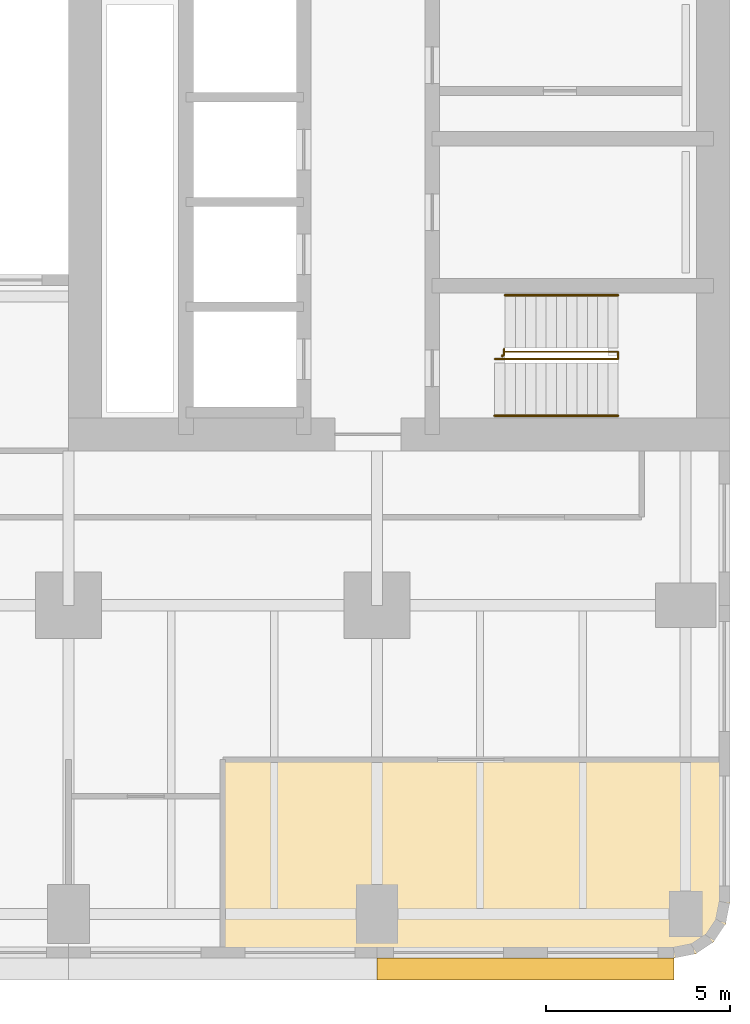
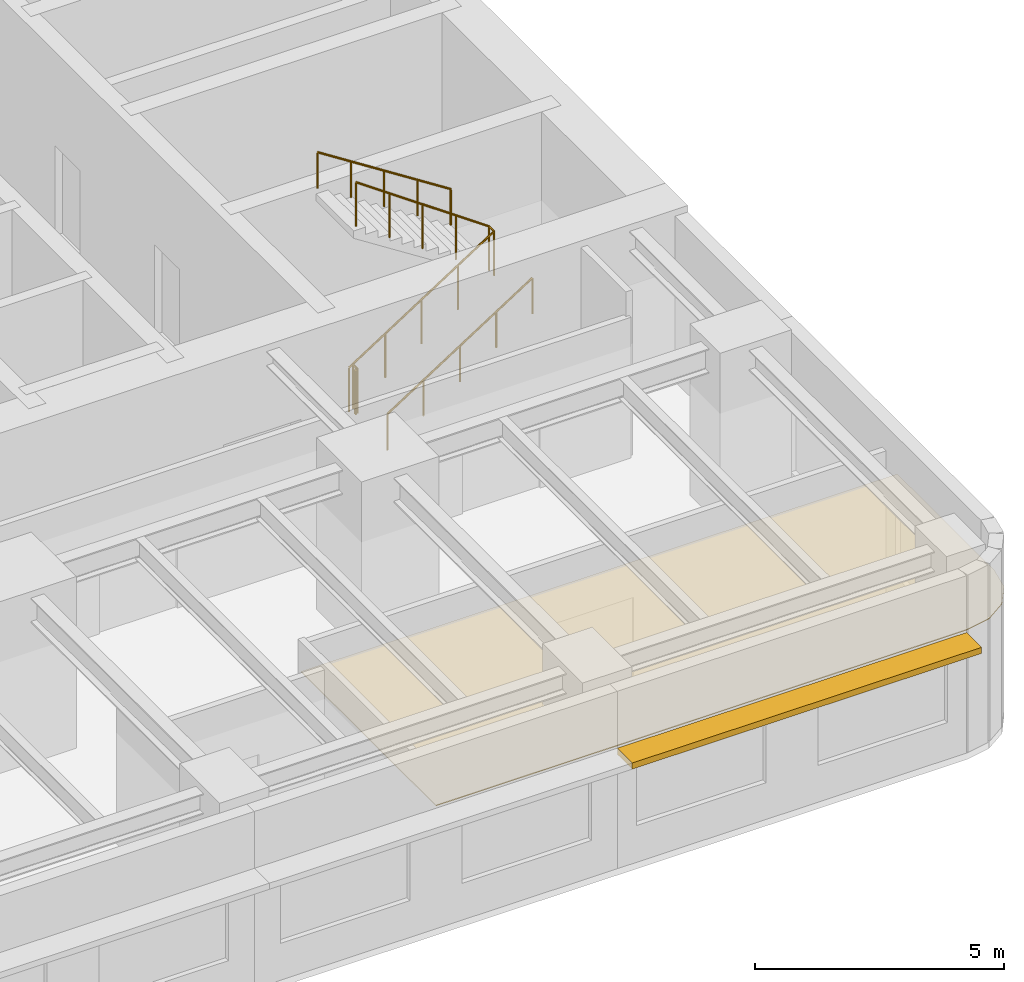
# One storey, part 11 of 14: 4 railings, 1 covering, 1 shading device.
"""IFC4 building model written with IfcOpenShell, lengths in metres."""

from ifc_helpers import new_model, si_unit, direction, frame, origin, origin_2d, place, context, subcontext, project, spatial, polyline, rectangle, circle, outline, extrude, material, layer, layer_set, type_object, element, save


model = new_model("IFC4")

# Units and contexts
model_context = context("Model", 3, precision=1e-05, world=origin(), true_north=direction((0.0, 1.0)))
body_context = subcontext(model_context, "Body", "Model", "MODEL_VIEW")
ifc_project = project(units=[si_unit("LENGTHUNIT", "METRE"), si_unit("AREAUNIT", "SQUARE_METRE"), si_unit("VOLUMEUNIT", "CUBIC_METRE"), si_unit("PLANEANGLEUNIT", "RADIAN"), si_unit("MASSUNIT", "GRAM", prefix="KILO")], contexts=[model_context])

# Site, building, storey
site_placement = place(None, origin())
site = spatial("IfcSite", under=ifc_project, at=site_placement, CompositionType="ELEMENT")
building_placement = place(site_placement, origin())
building = spatial("IfcBuilding", under=site, at=building_placement, Name="Claustro Exchange Tower", CompositionType="ELEMENT")
storey_placement = place(building_placement, frame((0.0, 0.0, 27.89990234375)))
storey = spatial("IfcBuildingStorey", under=building, at=storey_placement, Name="L06", CompositionType="ELEMENT", Elevation=27.89990234375)

# Covering
ifc_material_1 = material(Name="Gypsum board ceiling", Category="gypsum board")
ifc_layer_1 = layer(ifc_material_1, 0.02490234375)
ifc_layer_set_1 = layer_set([ifc_layer_1], Name="Gypsum board ceiling")
covering_type = type_object("IfcCoveringType", Name="CL2 plasterboard ceiling", PredefinedType="CEILING", material=ifc_layer_set_1)
covering_placement = place(storey_placement, frame((0.0, 0.0, 3.0)))
element("IfcCovering", 1, at=covering_placement, inside=storey, type_object=covering_type, Name="Ceiling CL2 L06-05", PredefinedType="CEILING", context=body_context, shape_type="SweptSolid", body=[
    extrude(outline(polyline([(51.60009765625, 0.300048828125), (51.60009765625, 4.199951171875), (37.800048828125, 4.199951171875), (37.800048828125, -1.199951171875), (50.10009765625, -1.199951171875), (50.674072265625, -1.085693359375), (51.16064453125, -0.7607421875), (51.48583984375, -0.27392578125), (51.60009765625, 0.300048828125)])), origin(), (0.0, 0.0, 1.0), 0.025146484375),
])

# Railings
ifc_material_2 = material(Name="Steel balustrade, painted", Category="steel")
railing_type_1 = type_object("IfcRailingType", Name="GR2 1100 steel stair guard", PredefinedType="GUARDRAIL", material=ifc_material_2)
railing_1_placement = place(storey_placement, frame((45.199951171875, 15.10009765625, 0.18017578125)))
element("IfcRailing", 2, at=railing_1_placement, inside=storey, type_object=railing_type_1, Name="Stair well guard GR2 stair STEA L06", PredefinedType="GUARDRAIL", context=body_context, shape_type="SweptSolid", body=[
    extrude(circle(Radius=0.02392578125, at=origin_2d()), frame((0.0, 0.0, 1.076171875), z_axis=(0.84119634759, 0.0, 0.540729789082), x_axis=(0.0, 1.0, 0.0)), (0.0, 0.0, 1.0), 3.994384765625),
    extrude(circle(Radius=0.02392578125, at=origin_2d()), frame((3.360107421875, 0.0, 3.23583984375), z_axis=(0.0, 1.0, 0.0), x_axis=(-1.0, 0.0, 0.0)), (0.0, 0.0, 1.0), 0.199951171875),
    extrude(circle(Radius=0.02392578125, at=origin_2d()), frame((3.360107421875, 0.199951171875, 3.23583984375), z_axis=(-0.8187499073, 0.0, 0.574150319426), x_axis=(0.0, -1.0, 0.0)), (0.0, 0.0, 1.0), 3.761962890625),
    extrude(circle(Radius=0.02099609375, at=origin_2d()), origin(), (0.0, 0.0, 1.0), 1.052001953125),
    extrude(circle(Radius=0.02099609375, at=origin_2d()), frame((0.840087890625, 0.0, 0.5400390625)), (0.0, 0.0, 1.0), 1.052001953125),
    extrude(circle(Radius=0.02099609375, at=origin_2d()), frame((1.68017578125, 0.0, 1.080078125)), (0.0, 0.0, 1.0), 1.052001953125),
    extrude(circle(Radius=0.02099609375, at=origin_2d()), frame((2.52001953125, 0.0, 1.619873046875)), (0.0, 0.0, 1.0), 1.052001953125),
    extrude(circle(Radius=0.02099609375, at=origin_2d()), frame((3.360107421875, 0.0, 2.159912109375)), (0.0, 0.0, 1.0), 1.052001953125),
    extrude(circle(Radius=0.02099609375, at=origin_2d()), frame((3.360107421875, 0.199951171875, 2.159912109375)), (0.0, 0.0, 1.0), 1.052001953125),
    extrude(circle(Radius=0.02099609375, at=origin_2d()), frame((2.590087890625, 0.199951171875, 2.699951171875)), (0.0, 0.0, 1.0), 1.052001953125),
    extrude(circle(Radius=0.02099609375, at=origin_2d()), frame((1.820068359375, 0.199951171875, 3.23974609375)), (0.0, 0.0, 1.0), 1.052001953125),
    extrude(circle(Radius=0.02099609375, at=origin_2d()), frame((1.050048828125, 0.199951171875, 3.77978515625)), (0.0, 0.0, 1.0), 1.052001953125),
    extrude(circle(Radius=0.02099609375, at=origin_2d()), frame((0.280029296875, 0.199951171875, 4.31982421875)), (0.0, 0.0, 1.0), 1.052001953125),
])
railing_2_placement = place(storey_placement, frame((45.39990234375, 15.169921875, 0.0)))
element("IfcRailing", 3, at=railing_2_placement, inside=storey, type_object=railing_type_1, Name="Stair guard GR2 STEA L06", PredefinedType="GUARDRAIL", context=body_context, shape_type="SweptSolid", body=[
    extrude(circle(Radius=0.02392578125, at=origin_2d()), frame((0.0, 0.0, 1.076171875), z_axis=(0.0, 1.0, 0.0), x_axis=(-1.0, 0.0, 0.0)), (0.0, 0.0, 1.0), 0.030029296875),
    extrude(circle(Radius=0.02392578125, at=origin_2d()), frame((0.0, 0.030029296875, 1.076171875), z_axis=(1.0, 0.0, 0.0), x_axis=(0.0, 1.0, 0.0)), (0.0, 0.0, 1.0), 0.05517578125),
    extrude(circle(Radius=0.02392578125, at=origin_2d()), frame((0.05517578125, 0.030029296875, 1.076171875), z_axis=(0.0, 1.0, 0.0), x_axis=(-1.0, 0.0, 0.0)), (0.0, 0.0, 1.0), 0.179931640625),
    extrude(circle(Radius=0.02099609375, at=origin_2d()), origin(), (0.0, 0.0, 1.0), 1.052001953125),
    extrude(circle(Radius=0.02099609375, at=origin_2d()), frame((0.0, 0.030029296875, 0.0)), (0.0, 0.0, 1.0), 1.052001953125),
    extrude(circle(Radius=0.02099609375, at=origin_2d()), frame((0.05517578125, 0.030029296875, 0.0)), (0.0, 0.0, 1.0), 1.052001953125),
    extrude(circle(Radius=0.02099609375, at=origin_2d()), frame((0.05517578125, 0.2099609375, 0.0)), (0.0, 0.0, 1.0), 1.052001953125),
])
ifc_material_3 = material(Name="Stainless steel tube", Category="steel")
railing_type_2 = type_object("IfcRailingType", Name="HR1 900 stair handrail", PredefinedType="HANDRAIL", material=ifc_material_3)
railing_3_placement = place(storey_placement, frame((45.199951171875, 13.56005859375, 0.18017578125)))
element("IfcRailing", 4, at=railing_3_placement, inside=storey, type_object=railing_type_2, Name="Handrail HR1 stair STEA L06", PredefinedType="HANDRAIL", context=body_context, shape_type="SweptSolid", body=[
    extrude(circle(Radius=0.02392578125, at=origin_2d()), frame((0.0, 0.0, 0.8759765625), z_axis=(0.84119634759, 0.0, 0.540729789082), x_axis=(0.0, 1.0, 0.0)), (0.0, 0.0, 1.0), 3.994384765625),
    extrude(circle(Radius=0.02099609375, at=origin_2d()), origin(), (0.0, 0.0, 1.0), 0.851806640625),
    extrude(circle(Radius=0.02099609375, at=origin_2d()), frame((0.840087890625, 0.0, 0.5400390625)), (0.0, 0.0, 1.0), 0.851806640625),
    extrude(circle(Radius=0.02099609375, at=origin_2d()), frame((1.68017578125, 0.0, 1.080078125)), (0.0, 0.0, 1.0), 0.851806640625),
    extrude(circle(Radius=0.02099609375, at=origin_2d()), frame((2.52001953125, 0.0, 1.619873046875)), (0.0, 0.0, 1.0), 0.851806640625),
    extrude(circle(Radius=0.02099609375, at=origin_2d()), frame((3.360107421875, 0.0, 2.159912109375)), (0.0, 0.0, 1.0), 0.851806640625),
])
railing_4_placement = place(storey_placement, frame((48.56005859375, 16.840087890625, 2.52001953125)))
element("IfcRailing", 5, at=railing_4_placement, inside=storey, type_object=railing_type_2, Name="Handrail HR1 stair STEA L06", PredefinedType="HANDRAIL", context=body_context, shape_type="SweptSolid", body=[
    extrude(circle(Radius=0.02392578125, at=origin_2d()), frame((0.0, 0.0, 0.8759765625), z_axis=(-0.84118714077, 0.0, 0.540744111576), x_axis=(0.0, -1.0, 0.0)), (0.0, 0.0, 1.0), 3.66162109375),
    extrude(circle(Radius=0.02099609375, at=origin_2d()), origin(), (0.0, 0.0, 1.0), 0.851806640625),
    extrude(circle(Radius=0.02099609375, at=origin_2d()), frame((-0.77001953125, 0.0, 0.4951171875)), (0.0, 0.0, 1.0), 0.851806640625),
    extrude(circle(Radius=0.02099609375, at=origin_2d()), frame((-1.5400390625, 0.0, 0.989990234375)), (0.0, 0.0, 1.0), 0.851806640625),
    extrude(circle(Radius=0.02099609375, at=origin_2d()), frame((-2.31005859375, 0.0, 1.48486328125)), (0.0, 0.0, 1.0), 0.851806640625),
    extrude(circle(Radius=0.02099609375, at=origin_2d()), frame((-3.080078125, 0.0, 1.97998046875)), (0.0, 0.0, 1.0), 0.851806640625),
])

# Shading device
ifc_material_4 = material(Name="Concrete HA-40 (C40/50), precast, white cement, acid-etched", Category="concrete")
ifc_layer_2 = layer(ifc_material_4, 0.14990234375)
ifc_layer_set_2 = layer_set([ifc_layer_2], Name="Concrete HA-40 (C40/50), precast, white cement, acid-etched")
shading_device_type = type_object("IfcShadingDeviceType", Name="SS1 600 precast concrete SUNSHADE", PredefinedType="SHUTTER", material=ifc_layer_set_2)
shading_device_placement = place(storey_placement, frame((46.04248046875, -1.5, 2.800048828125), z_axis=(0.0, 0.0, 1.0), x_axis=(-1.0, 0.0, 0.0)))
element("IfcShadingDevice", 6, at=shading_device_placement, inside=storey, type_object=shading_device_type, Name="Precast SUNSHADE SS1 L06", PredefinedType="SHUTTER", context=body_context, shape_type="SweptSolid", body=[
    extrude(rectangle(XDim=8.085205078125, YDim=0.60009765625, at=origin_2d()), origin(), (0.0, 0.0, 1.0), 0.14990234375),
])

save(model, "model.ifc")
